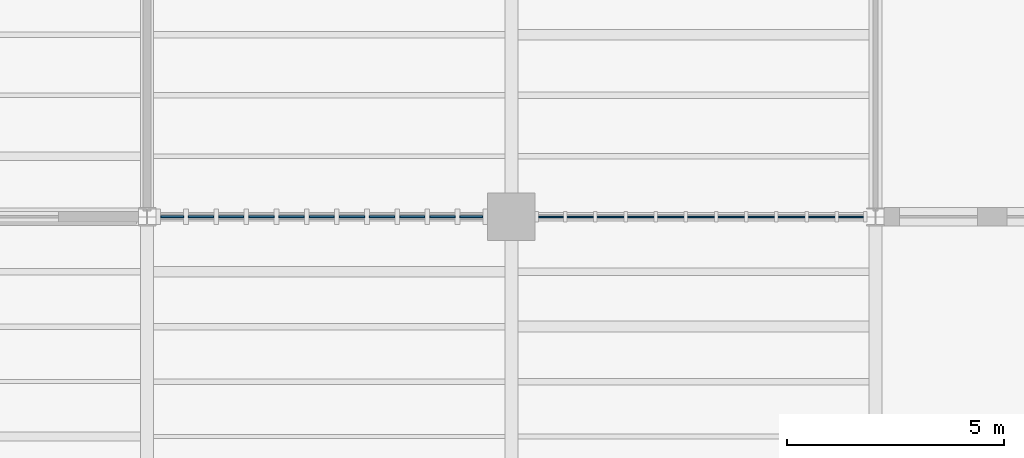
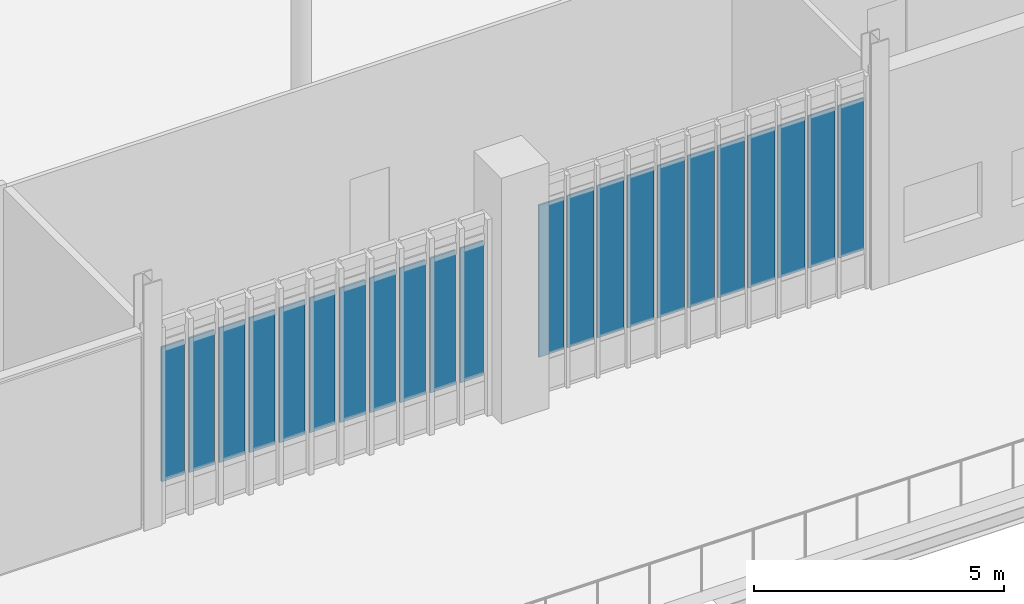
# One storey, part 67 of 135: 22 plates, 2 elements without a shape of their own.
"""IFC4 building model written with IfcOpenShell, lengths in metres."""

from ifc_helpers import new_model, si_unit, direction, frame, origin, origin_2d, place, context, subcontext, project, spatial, rectangle, extrude, material, layer, layer_set, type_object, element, aggregate, save


model = new_model("IFC4")

# Units and contexts
model_context = context("Model", 3, precision=1e-05, world=origin(), true_north=direction((0.0, 1.0)))
body_context = subcontext(model_context, "Body", "Model", "MODEL_VIEW")
ifc_project = project(units=[si_unit("LENGTHUNIT", "METRE"), si_unit("AREAUNIT", "SQUARE_METRE"), si_unit("VOLUMEUNIT", "CUBIC_METRE"), si_unit("PLANEANGLEUNIT", "RADIAN"), si_unit("MASSUNIT", "GRAM", prefix="KILO")], contexts=[model_context])

# Site, building, storey
site_placement = place(None, origin())
site = spatial("IfcSite", under=ifc_project, at=site_placement, CompositionType="ELEMENT")
building_placement = place(site_placement, origin())
building = spatial("IfcBuilding", under=site, at=building_placement, Name="Larkvane Passage Sports Hall", CompositionType="ELEMENT")
storey_placement = place(building_placement, frame((0.0, 0.0, 10.800048828125)))
storey = spatial("IfcBuildingStorey", under=building, at=storey_placement, Name="L02", CompositionType="ELEMENT", Elevation=10.800048828125)

# Curtain wall, plates
ifc_material_1 = material(Name="Thermally broken aluminium and low-E glazing", Category="aluminium")
curtain_wall_type_1 = type_object("IfcCurtainWallType", Name="CW-STICK-FOYER", PredefinedType="USERDEFINED", material=ifc_material_1)
curtain_wall_1_placement = place(storey_placement, origin())
curtain_wall_1 = element("IfcCurtainWall", 1, at=curtain_wall_1_placement, inside=storey, type_object=curtain_wall_type_1, Name="Curtain wall CW5-L02-086", ObjectType="STICK CURTAIN WALL", PredefinedType="USERDEFINED")
ifc_material_2 = material(Name="High-impact court low-E glazing", Category="glass")
ifc_layer_1 = layer(ifc_material_2, 0.035888671875)
ifc_layer_set_1 = layer_set([ifc_layer_1], Name="High-impact court low-E glazing")
plate_type_1 = type_object("IfcPlateType", Name="CWP-VIS-36", PredefinedType="CURTAIN_PANEL", material=ifc_layer_set_1)
plate_1_placement = place(storey_placement, frame((76.233642578125, 22.800048828125, 0.89013671875), z_axis=(0.0, 0.0, 1.0), x_axis=(-1.0, 0.0, 0.0)))
plate_1 = element("IfcPlate", 2, at=plate_1_placement, type_object=plate_type_1, Name="CW-03 panel 1.2", PredefinedType="CURTAIN_PANEL", context=body_context, shape_type="SweptSolid", body=[
    extrude(rectangle(XDim=0.575927734375, YDim=0.035888671875, at=origin_2d()), origin(), (0.0, 0.0, 1.0), 3.718017578125),
])
plate_2_placement = place(storey_placement, frame((75.5576171875, 22.800048828125, 0.89013671875), z_axis=(0.0, 0.0, 1.0), x_axis=(-1.0, 0.0, 0.0)))
plate_2 = element("IfcPlate", 3, at=plate_2_placement, type_object=plate_type_1, Name="CW-03 panel 2.2", PredefinedType="CURTAIN_PANEL", context=body_context, shape_type="SweptSolid", body=[
    extrude(rectangle(XDim=0.615966796875, YDim=0.035888671875, at=origin_2d()), origin(), (0.0, 0.0, 1.0), 3.718017578125),
])
plate_3_placement = place(storey_placement, frame((74.861572265625, 22.800048828125, 0.89013671875), z_axis=(0.0, 0.0, 1.0), x_axis=(-1.0, 0.0, 0.0)))
plate_3 = element("IfcPlate", 4, at=plate_3_placement, type_object=plate_type_1, Name="CW-03 panel 3.2", PredefinedType="CURTAIN_PANEL", context=body_context, shape_type="SweptSolid", body=[
    extrude(rectangle(XDim=0.615966796875, YDim=0.035888671875, at=origin_2d()), origin(), (0.0, 0.0, 1.0), 3.718017578125),
])
plate_4_placement = place(storey_placement, frame((74.165771484375, 22.800048828125, 0.89013671875), z_axis=(0.0, 0.0, 1.0), x_axis=(-1.0, 0.0, 0.0)))
plate_4 = element("IfcPlate", 5, at=plate_4_placement, type_object=plate_type_1, Name="CW-03 panel 4.2", PredefinedType="CURTAIN_PANEL", context=body_context, shape_type="SweptSolid", body=[
    extrude(rectangle(XDim=0.615966796875, YDim=0.035888671875, at=origin_2d()), origin(), (0.0, 0.0, 1.0), 3.718017578125),
])
plate_5_placement = place(storey_placement, frame((73.4697265625, 22.800048828125, 0.89013671875), z_axis=(0.0, 0.0, 1.0), x_axis=(-1.0, 0.0, 0.0)))
plate_5 = element("IfcPlate", 6, at=plate_5_placement, type_object=plate_type_1, Name="CW-03 panel 5.2", PredefinedType="CURTAIN_PANEL", context=body_context, shape_type="SweptSolid", body=[
    extrude(rectangle(XDim=0.615966796875, YDim=0.035888671875, at=origin_2d()), origin(), (0.0, 0.0, 1.0), 3.718017578125),
])
plate_6_placement = place(storey_placement, frame((72.773681640625, 22.800048828125, 0.89013671875), z_axis=(0.0, 0.0, 1.0), x_axis=(-1.0, 0.0, 0.0)))
plate_6 = element("IfcPlate", 7, at=plate_6_placement, type_object=plate_type_1, Name="CW-03 panel 6.2", PredefinedType="CURTAIN_PANEL", context=body_context, shape_type="SweptSolid", body=[
    extrude(rectangle(XDim=0.615966796875, YDim=0.035888671875, at=origin_2d()), origin(), (0.0, 0.0, 1.0), 3.718017578125),
])
plate_7_placement = place(storey_placement, frame((72.077880859375, 22.800048828125, 0.89013671875), z_axis=(0.0, 0.0, 1.0), x_axis=(-1.0, 0.0, 0.0)))
plate_7 = element("IfcPlate", 8, at=plate_7_placement, type_object=plate_type_1, Name="CW-03 panel 7.2", PredefinedType="CURTAIN_PANEL", context=body_context, shape_type="SweptSolid", body=[
    extrude(rectangle(XDim=0.615966796875, YDim=0.035888671875, at=origin_2d()), origin(), (0.0, 0.0, 1.0), 3.718017578125),
])
plate_8_placement = place(storey_placement, frame((71.3818359375, 22.800048828125, 0.89013671875), z_axis=(0.0, 0.0, 1.0), x_axis=(-1.0, 0.0, 0.0)))
plate_8 = element("IfcPlate", 9, at=plate_8_placement, type_object=plate_type_1, Name="CW-03 panel 8.2", PredefinedType="CURTAIN_PANEL", context=body_context, shape_type="SweptSolid", body=[
    extrude(rectangle(XDim=0.615966796875, YDim=0.035888671875, at=origin_2d()), origin(), (0.0, 0.0, 1.0), 3.718017578125),
])
plate_9_placement = place(storey_placement, frame((70.685791015625, 22.800048828125, 0.89013671875), z_axis=(0.0, 0.0, 1.0), x_axis=(-1.0, 0.0, 0.0)))
plate_9 = element("IfcPlate", 10, at=plate_9_placement, type_object=plate_type_1, Name="CW-03 panel 9.2", PredefinedType="CURTAIN_PANEL", context=body_context, shape_type="SweptSolid", body=[
    extrude(rectangle(XDim=0.615966796875, YDim=0.035888671875, at=origin_2d()), origin(), (0.0, 0.0, 1.0), 3.718017578125),
])
plate_10_placement = place(storey_placement, frame((69.989990234375, 22.800048828125, 0.89013671875), z_axis=(0.0, 0.0, 1.0), x_axis=(-1.0, 0.0, 0.0)))
plate_10 = element("IfcPlate", 11, at=plate_10_placement, type_object=plate_type_1, Name="CW-03 panel 10.2", PredefinedType="CURTAIN_PANEL", context=body_context, shape_type="SweptSolid", body=[
    extrude(rectangle(XDim=0.615966796875, YDim=0.035888671875, at=origin_2d()), origin(), (0.0, 0.0, 1.0), 3.718017578125),
])
plate_11_placement = place(storey_placement, frame((69.31396484375, 22.800048828125, 0.89013671875), z_axis=(0.0, 0.0, 1.0), x_axis=(-1.0, 0.0, 0.0)))
plate_11 = element("IfcPlate", 12, at=plate_11_placement, type_object=plate_type_1, Name="CW-03 panel 11.2", PredefinedType="CURTAIN_PANEL", context=body_context, shape_type="SweptSolid", body=[
    extrude(rectangle(XDim=0.575927734375, YDim=0.035888671875, at=origin_2d()), origin(), (0.0, 0.0, 1.0), 3.718017578125),
])
aggregate(curtain_wall_1, [plate_1, plate_2, plate_3, plate_4, plate_5, plate_6, plate_7, plate_8, plate_9, plate_10, plate_11])

curtain_wall_type_2 = type_object("IfcCurtainWallType", Name="CW-CLINIC", PredefinedType="USERDEFINED", material=ifc_material_1)
curtain_wall_2_placement = place(storey_placement, origin())
curtain_wall_2 = element("IfcCurtainWall", 13, at=curtain_wall_2_placement, inside=storey, type_object=curtain_wall_type_2, Name="Curtain wall CW5-L02-087", ObjectType="UNITISED CURTAIN WALL", PredefinedType="USERDEFINED")
ifc_material_3 = material(Name="Triple-laminated typhoon glazing", Category="glass")
ifc_layer_2 = layer(ifc_material_3, 0.0419921875)
ifc_layer_set_2 = layer_set([ifc_layer_2], Name="Triple-laminated typhoon glazing")
plate_type_2 = type_object("IfcPlateType", Name="CWP-VIS-42", PredefinedType="CURTAIN_PANEL", material=ifc_layer_set_2)
plate_12_placement = place(storey_placement, frame((67.478515625, 22.800048828125, 0.905029296875), z_axis=(0.0, 0.0, 1.0), x_axis=(-1.0, 0.0, 0.0)))
plate_12 = element("IfcPlate", 14, at=plate_12_placement, type_object=plate_type_2, Name="CW-05 panel 1.2", PredefinedType="CURTAIN_PANEL", context=body_context, shape_type="SweptSolid", body=[
    extrude(rectangle(XDim=0.53076171875, YDim=0.0419921875, at=origin_2d()), origin(), (0.0, 0.0, 1.0), 3.2880859375),
])
plate_13_placement = place(storey_placement, frame((66.810302734375, 22.800048828125, 0.905029296875), z_axis=(0.0, 0.0, 1.0), x_axis=(-1.0, 0.0, 0.0)))
plate_13 = element("IfcPlate", 15, at=plate_13_placement, type_object=plate_type_2, Name="CW-05 panel 2.2", PredefinedType="CURTAIN_PANEL", context=body_context, shape_type="SweptSolid", body=[
    extrude(rectangle(XDim=0.5859375, YDim=0.0419921875, at=origin_2d()), origin(), (0.0, 0.0, 1.0), 3.2880859375),
])
plate_14_placement = place(storey_placement, frame((66.1142578125, 22.800048828125, 0.905029296875), z_axis=(0.0, 0.0, 1.0), x_axis=(-1.0, 0.0, 0.0)))
plate_14 = element("IfcPlate", 16, at=plate_14_placement, type_object=plate_type_2, Name="CW-05 panel 3.2", PredefinedType="CURTAIN_PANEL", context=body_context, shape_type="SweptSolid", body=[
    extrude(rectangle(XDim=0.5859375, YDim=0.0419921875, at=origin_2d()), origin(), (0.0, 0.0, 1.0), 3.2880859375),
])
plate_15_placement = place(storey_placement, frame((65.41845703125, 22.800048828125, 0.905029296875), z_axis=(0.0, 0.0, 1.0), x_axis=(-1.0, 0.0, 0.0)))
plate_15 = element("IfcPlate", 17, at=plate_15_placement, type_object=plate_type_2, Name="CW-05 panel 4.2", PredefinedType="CURTAIN_PANEL", context=body_context, shape_type="SweptSolid", body=[
    extrude(rectangle(XDim=0.5859375, YDim=0.0419921875, at=origin_2d()), origin(), (0.0, 0.0, 1.0), 3.2880859375),
])
plate_16_placement = place(storey_placement, frame((64.72265625, 22.800048828125, 0.905029296875), z_axis=(0.0, 0.0, 1.0), x_axis=(-1.0, 0.0, 0.0)))
plate_16 = element("IfcPlate", 18, at=plate_16_placement, type_object=plate_type_2, Name="CW-05 panel 5.2", PredefinedType="CURTAIN_PANEL", context=body_context, shape_type="SweptSolid", body=[
    extrude(rectangle(XDim=0.5859375, YDim=0.0419921875, at=origin_2d()), origin(), (0.0, 0.0, 1.0), 3.2880859375),
])
plate_17_placement = place(storey_placement, frame((64.02685546875, 22.800048828125, 0.905029296875), z_axis=(0.0, 0.0, 1.0), x_axis=(-1.0, 0.0, 0.0)))
plate_17 = element("IfcPlate", 19, at=plate_17_placement, type_object=plate_type_2, Name="CW-05 panel 6.2", PredefinedType="CURTAIN_PANEL", context=body_context, shape_type="SweptSolid", body=[
    extrude(rectangle(XDim=0.5859375, YDim=0.0419921875, at=origin_2d()), origin(), (0.0, 0.0, 1.0), 3.2880859375),
])
plate_18_placement = place(storey_placement, frame((63.330810546875, 22.800048828125, 0.905029296875), z_axis=(0.0, 0.0, 1.0), x_axis=(-1.0, 0.0, 0.0)))
plate_18 = element("IfcPlate", 20, at=plate_18_placement, type_object=plate_type_2, Name="CW-05 panel 7.2", PredefinedType="CURTAIN_PANEL", context=body_context, shape_type="SweptSolid", body=[
    extrude(rectangle(XDim=0.5859375, YDim=0.0419921875, at=origin_2d()), origin(), (0.0, 0.0, 1.0), 3.2880859375),
])
plate_19_placement = place(storey_placement, frame((62.635009765625, 22.800048828125, 0.905029296875), z_axis=(0.0, 0.0, 1.0), x_axis=(-1.0, 0.0, 0.0)))
plate_19 = element("IfcPlate", 21, at=plate_19_placement, type_object=plate_type_2, Name="CW-05 panel 8.2", PredefinedType="CURTAIN_PANEL", context=body_context, shape_type="SweptSolid", body=[
    extrude(rectangle(XDim=0.5859375, YDim=0.0419921875, at=origin_2d()), origin(), (0.0, 0.0, 1.0), 3.2880859375),
])
plate_20_placement = place(storey_placement, frame((61.939208984375, 22.800048828125, 0.905029296875), z_axis=(0.0, 0.0, 1.0), x_axis=(-1.0, 0.0, 0.0)))
plate_20 = element("IfcPlate", 22, at=plate_20_placement, type_object=plate_type_2, Name="CW-05 panel 9.2", PredefinedType="CURTAIN_PANEL", context=body_context, shape_type="SweptSolid", body=[
    extrude(rectangle(XDim=0.5859375, YDim=0.0419921875, at=origin_2d()), origin(), (0.0, 0.0, 1.0), 3.2880859375),
])
plate_21_placement = place(storey_placement, frame((61.243408203125, 22.800048828125, 0.905029296875), z_axis=(0.0, 0.0, 1.0), x_axis=(-1.0, 0.0, 0.0)))
plate_21 = element("IfcPlate", 23, at=plate_21_placement, type_object=plate_type_2, Name="CW-05 panel 10.2", PredefinedType="CURTAIN_PANEL", context=body_context, shape_type="SweptSolid", body=[
    extrude(rectangle(XDim=0.5859375, YDim=0.0419921875, at=origin_2d()), origin(), (0.0, 0.0, 1.0), 3.2880859375),
])
plate_22_placement = place(storey_placement, frame((60.574951171875, 22.800048828125, 0.905029296875), z_axis=(0.0, 0.0, 1.0), x_axis=(-1.0, 0.0, 0.0)))
plate_22 = element("IfcPlate", 24, at=plate_22_placement, type_object=plate_type_2, Name="CW-05 panel 11.2", PredefinedType="CURTAIN_PANEL", context=body_context, shape_type="SweptSolid", body=[
    extrude(rectangle(XDim=0.53076171875, YDim=0.0419921875, at=origin_2d()), origin(), (0.0, 0.0, 1.0), 3.2880859375),
])
aggregate(curtain_wall_2, [plate_12, plate_13, plate_14, plate_15, plate_16, plate_17, plate_18, plate_19, plate_20, plate_21, plate_22])

save(model, "model.ifc")
